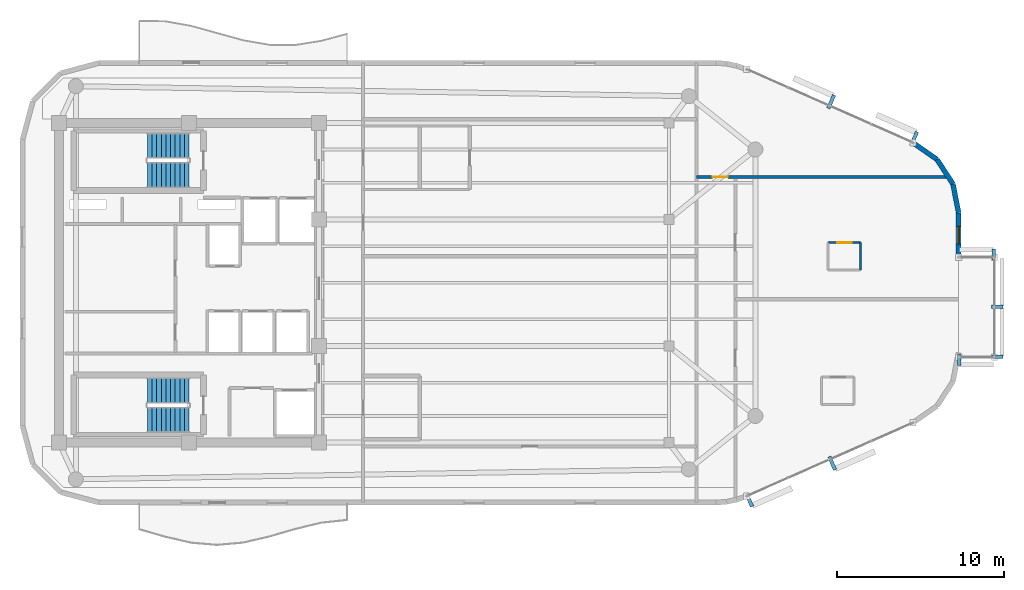
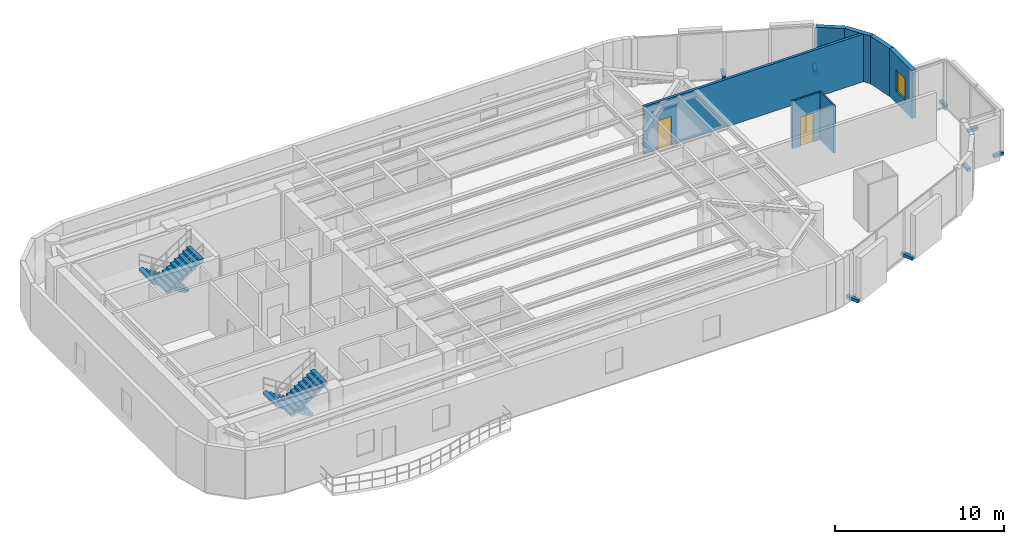
# One storey, part 11 of 13: 8 discrete accessories, 7 walls, 4 stair flights, 2 doors, 1 window, 3 openings, 2 elements without a shape of their own.
"""IFC4 building model written with IfcOpenShell, lengths in metres."""

from ifc_helpers import new_model, si_unit, direction, frame, frame_2d, origin, origin_2d, place, context, subcontext, project, spatial, polyline, rectangle, outline, extrude, material, layer, layer_set, type_object, element, fill, aggregate, save


model = new_model("IFC4")

# Units and contexts
model_context = context("Model", 3, precision=1e-05, world=origin(), true_north=direction((0.0, 1.0)))
body_context = subcontext(model_context, "Body", "Model", "MODEL_VIEW")
ifc_project = project(units=[si_unit("LENGTHUNIT", "METRE"), si_unit("AREAUNIT", "SQUARE_METRE"), si_unit("VOLUMEUNIT", "CUBIC_METRE"), si_unit("PLANEANGLEUNIT", "RADIAN"), si_unit("MASSUNIT", "GRAM", prefix="KILO")], contexts=[model_context])

# Site, building, storey
site_placement = place(None, origin())
site = spatial("IfcSite", under=ifc_project, at=site_placement, CompositionType="ELEMENT")
building_placement = place(site_placement, origin())
building = spatial("IfcBuilding", under=site, at=building_placement, Name="An Khanh Terracotta Commons", CompositionType="ELEMENT")
storey_placement = place(building_placement, frame((0.0, 0.0, 266.10009765625)))
storey = spatial("IfcBuildingStorey", under=building, at=storey_placement, Name="L69", CompositionType="ELEMENT", Elevation=266.10009765625)

# Wall, opening, door
ifc_material_1 = material(Name="Fire-Rated Gypsum Board on Steel Stud", Category="steel")
ifc_layer_1 = layer(ifc_material_1, 0.179931640625, Name="Fire-Rated Gypsum Board on Steel Stud")
ifc_layer_set_1 = layer_set([ifc_layer_1], Name="Fire-Rated Gypsum Board on Steel Stud")
wall_type_1 = type_object("IfcWallType", Name="WALL-CORR-180", PredefinedType="PARTITIONING", material=ifc_layer_set_1)
wall_1_placement = place(storey_placement, frame((59.85009765625, 30.35009765625, 0.0), z_axis=(0.0, 0.0, 1.0), x_axis=(1.0, 0.0, 0.0)))
wall_1 = element("IfcWall", 1, at=wall_1_placement, inside=storey, type_object=wall_type_1, Name="L69 Interior Partition IW-L69-E007", PredefinedType="PARTITIONING", context=body_context, shape_type="SweptSolid", body=[
    extrude(rectangle(XDim=15.138916015625, YDim=0.179931640625, at=frame_2d((7.5693359375, 0.0))), origin(), (0.0, 0.0, 1.0), 3.449951171875),
])
opening_1_placement = place(wall_1_placement, frame((0.97509765625, 0.0, 0.0)))
opening_1 = element("IfcOpeningElement", 2, at=opening_1_placement, cuts=wall_1, Name="Opening D-RM", PredefinedType="OPENING", context=body_context, shape_type="SweptSolid", body=[
    extrude(rectangle(XDim=0.919921875, YDim=2.10009765625, at=frame_2d((0.4599609375, 1.050048828125))), frame((0.0, 0.099853515625, 0.0), z_axis=(0.0, -1.0, 0.0), x_axis=(1.0, 0.0, 0.0)), (0.0, 0.0, 1.0), 0.199951171875),
])
ifc_material_2 = material(Name="Engineered Hardwood Timber Leaf", Category="wood")
door_type_1 = type_object("IfcDoorType", Name="DOOR-INT-920", OperationType="NOTDEFINED", PredefinedType="DOOR", material=ifc_material_2)
door_1_placement = place(opening_1_placement, origin())
door_1 = element("IfcDoor", 3, at=door_1_placement, inside=storey, type_object=door_type_1, Name="L69 NCAP Quiet Focus Office Door", OperationType="SINGLE_SWING_LEFT", OverallHeight=2.10009765625, OverallWidth=0.919921875, PredefinedType="DOOR", context=body_context, shape_type="SweptSolid", body=[
    extrude(rectangle(XDim=0.919921875, YDim=2.10009765625, at=frame_2d((0.4599609375, 1.050048828125))), frame((0.0, 0.02490234375, 0.0), z_axis=(0.0, -1.0, 0.0), x_axis=(1.0, 0.0, 0.0)), (0.0, 0.0, 1.0), 0.050048828125),
])
fill(opening_1, door_1)

# Wall, opening, window
ifc_material_3 = material(Name="Precast concrete C40/50", Category="concrete")
ifc_layer_2 = layer(ifc_material_3, 0.300048828125, Name="Precast concrete C40/50")
ifc_layer_set_2 = layer_set([ifc_layer_2], Name="Precast concrete C40/50")
wall_type_2 = type_object("IfcWallType", Name="WALL-EXT-300", PredefinedType="SOLIDWALL", material=ifc_layer_set_2)
wall_2_placement = place(storey_placement, frame((75.60009765625, 25.530029296875, 0.0), z_axis=(0.0, 0.0, 1.0), x_axis=(0.0, 1.0, 0.0)))
wall_2 = element("IfcWall", 4, at=wall_2_placement, inside=storey, type_object=wall_type_2, Name="L69 East Nose Wall North", PredefinedType="SOLIDWALL", context=body_context, shape_type="SweptSolid", body=[
    extrude(rectangle(XDim=2.671875, YDim=0.300048828125, at=frame_2d((1.3359375, 0.0))), origin(), (0.0, 0.0, 1.0), 3.449951171875),
])
opening_2_placement = place(wall_2_placement, frame((0.81103515625, 0.0, 0.85009765625)))
opening_2 = element("IfcOpeningElement", 5, at=opening_2_placement, cuts=wall_2, Name="Opening W-06", PredefinedType="OPENING", context=body_context, shape_type="SweptSolid", body=[
    extrude(rectangle(XDim=1.050048828125, YDim=1.550048828125, at=frame_2d((0.52490234375, 0.77490234375))), frame((0.0, 0.159912109375, 0.0), z_axis=(0.0, -1.0, 0.0), x_axis=(1.0, 0.0, 0.0)), (0.0, 0.0, 1.0), 0.320068359375),
])
ifc_material_4 = material(Name="Thermally Broken Aluminium and Low-E Glass", Category="aluminium")
window_type = type_object("IfcWindowType", Name="WIN-COR-1050x1550", PartitioningType="SINGLE_PANEL", PredefinedType="WINDOW", material=ifc_material_4)
window_placement = place(opening_2_placement, origin())
window = element("IfcWindow", 6, at=window_placement, inside=storey, type_object=window_type, Name="L69 East Nose North Casement Window", OverallHeight=1.550048828125, OverallWidth=1.050048828125, PartitioningType="SINGLE_PANEL", PredefinedType="WINDOW", context=body_context, shape_type="SweptSolid", body=[
    extrude(rectangle(XDim=1.050048828125, YDim=1.550048828125, at=frame_2d((0.52490234375, 0.77490234375))), frame((0.0, 0.030029296875, 0.0), z_axis=(0.0, -1.0, 0.0), x_axis=(1.0, 0.0, 0.0)), (0.0, 0.0, 1.0), 0.06005859375),
])
fill(opening_2, window)

# Walls
for number, where, z_axis, x_axis, name in (
    (7, (75.60009765625, 28.201904296875, 0.0), (0.0, 0.0, 1.0), (-0.1915005851, 0.981492499159, 0.0), "L69 Insulated Terracotta Exterior Wall 13"),
    (8, (75.262939453125, 29.929931640625, 0.0), (0.0, 0.0, 1.0), (-0.545836224831, 0.837891887813, 0.0), "L69 Insulated Terracotta Exterior Wall 14"),
):
    element("IfcWall", number, at=place(storey_placement, frame(where, z_axis=z_axis, x_axis=x_axis)), inside=storey, type_object=wall_type_2, Name=name, PredefinedType="SOLIDWALL", context=body_context, shape_type="SweptSolid", body=[
        extrude(rectangle(XDim=1.760498046875, YDim=0.300048828125, at=frame_2d((0.88037109375, 0.0))), origin(), (0.0, 0.0, 1.0), 3.449951171875),
    ])
wall_3_placement = place(storey_placement, frame((74.302001953125, 31.405029296875, 0.0), z_axis=(0.0, 0.0, 1.0), x_axis=(-0.821006966142, 0.570918174124, 0.0)))
element("IfcWall", 9, at=wall_3_placement, inside=storey, type_object=wall_type_2, Name="L69 Insulated Terracotta Exterior Wall 15", PredefinedType="SOLIDWALL", context=body_context, shape_type="SweptSolid", body=[
    extrude(rectangle(XDim=1.760009765625, YDim=0.300048828125, at=frame_2d((0.8798828125, 0.0))), origin(), (0.0, 0.0, 1.0), 3.449951171875),
])

# Wall, opening, door
ifc_material_5 = material(Name="Moisture-Resistant Cement Board Partition")
ifc_layer_3 = layer(ifc_material_5, 0.1201171875, Name="Moisture-Resistant Cement Board Partition")
ifc_layer_set_3 = layer_set([ifc_layer_3], Name="Moisture-Resistant Cement Board Partition")
wall_type_3 = type_object("IfcWallType", Name="WALL-WET-120", PredefinedType="PARTITIONING", material=ifc_layer_set_3)
wall_4_placement = place(storey_placement, frame((67.764892578125, 26.410888671875, 0.0), z_axis=(0.0, 0.0, 1.0), x_axis=(1.0, 0.0, 0.0)))
wall_4 = element("IfcWall", 10, at=wall_4_placement, inside=storey, type_object=wall_type_3, Name="L69 Interior Partition IW-L69-ENO1-BN", PredefinedType="PARTITIONING", context=body_context, shape_type="SweptSolid", body=[
    extrude(rectangle(XDim=1.9501953125, YDim=0.1201171875, at=frame_2d((0.97509765625, 0.0))), origin(), (0.0, 0.0, 1.0), 3.449951171875),
])
opening_3_placement = place(wall_4_placement, frame((0.544921875, 0.0, 0.0)))
opening_3 = element("IfcOpeningElement", 11, at=opening_3_placement, cuts=wall_4, Name="Opening D-ENS", PredefinedType="OPENING", context=body_context, shape_type="SweptSolid", body=[
    extrude(rectangle(XDim=0.860107421875, YDim=2.10009765625, at=frame_2d((0.43017578125, 1.050048828125))), frame((0.0, 0.070068359375, 0.0), z_axis=(0.0, -1.0, 0.0), x_axis=(1.0, 0.0, 0.0)), (0.0, 0.0, 1.0), 0.14013671875),
])
ifc_material_6 = material(Name="Moisture-Resistant Hardwood Timber Leaf", Category="wood")
door_type_2 = type_object("IfcDoorType", Name="DOOR-BATH-860", OperationType="NOTDEFINED", PredefinedType="DOOR", material=ifc_material_6)
door_2_placement = place(opening_3_placement, origin())
door_2 = element("IfcDoor", 12, at=door_2_placement, inside=storey, type_object=door_type_2, Name="L69 Studio ENO1 En-suite Door", OperationType="SINGLE_SWING_LEFT", OverallHeight=2.10009765625, OverallWidth=0.860107421875, PredefinedType="DOOR", context=body_context, shape_type="SweptSolid", body=[
    extrude(rectangle(XDim=0.860107421875, YDim=2.10009765625, at=frame_2d((0.43017578125, 1.050048828125))), frame((0.0, 0.02490234375, 0.0), z_axis=(0.0, -1.0, 0.0), x_axis=(1.0, 0.0, 0.0)), (0.0, 0.0, 1.0), 0.050048828125),
])
fill(opening_3, door_2)

# Wall
wall_5_placement = place(storey_placement, frame((69.715087890625, 24.760986328125, 0.0), z_axis=(0.0, 0.0, 1.0), x_axis=(0.0, 1.0, 0.0)))
element("IfcWall", 13, at=wall_5_placement, inside=storey, type_object=wall_type_3, Name="L69 Interior Partition IW-L69-ENO1-BE", PredefinedType="PARTITIONING", context=body_context, shape_type="SweptSolid", body=[
    extrude(rectangle(XDim=1.64990234375, YDim=0.1201171875, at=frame_2d((0.824951171875, 0.0))), origin(), (0.0, 0.0, 1.0), 3.449951171875),
])

# Stair, stair flights
stair_type = type_object("IfcStairType", Name="STAIR-CORE-1550", PredefinedType="HALF_TURN_STAIR", material=ifc_material_3)
stair_1_placement = place(storey_placement, origin())
stair_1 = element("IfcStair", 14, at=stair_1_placement, inside=storey, type_object=stair_type, Name="L69 Core Smokeproof Exit Stair ST-01", PredefinedType="HALF_TURN_STAIR")
stair_flight_type = type_object("IfcStairFlightType", Name="FLIGHT-CORE-1550", PredefinedType="STRAIGHT", material=ifc_material_3)
stair_flight_1_placement = place(storey_placement, frame((29.409912109375, 32.22509765625, 0.0), z_axis=(0.0, 0.0, 1.0), x_axis=(-1.0, 0.0, 0.0)))
stair_flight_1 = element("IfcStairFlight", 15, at=stair_flight_1_placement, type_object=stair_flight_type, Name="ST-01 flight 1", NumberOfRisers=10, NumberOfTreads=9, PredefinedType="STRAIGHT", RiserHeight=0.1825, TreadLength=0.28, context=body_context, shape_type="SweptSolid", body=[
    extrude(outline(polyline([(0.0, 0.0), (0.0, 0.1826171875), (0.280029296875, 0.1826171875), (0.280029296875, 0.364990234375), (0.56005859375, 0.364990234375), (0.56005859375, 0.547607421875), (0.840087890625, 0.547607421875), (0.840087890625, 0.72998046875), (1.1201171875, 0.72998046875), (1.1201171875, 0.91259765625), (1.39990234375, 0.91259765625), (1.39990234375, 1.094970703125), (1.679931640625, 1.094970703125), (1.679931640625, 1.277587890625), (1.9599609375, 1.277587890625), (1.9599609375, 1.4599609375), (2.239990234375, 1.4599609375), (2.239990234375, 1.642578125), (2.52001953125, 1.642578125), (2.52001953125, 1.824951171875), (2.52001953125, 1.463623046875), (0.2744140625, 0.0), (0.0, 0.0)])), frame((0.0, 0.77490234375, 0.0), z_axis=(0.0, -1.0, 0.0), x_axis=(1.0, 0.0, 0.0)), (0.0, 0.0, 1.0), 1.550048828125),
])
stair_flight_2_placement = place(storey_placement, frame((26.889892578125, 30.47509765625, 1.824951171875), z_axis=(0.0, 0.0, 1.0), x_axis=(1.0, 0.0, 0.0)))
stair_flight_2 = element("IfcStairFlight", 16, at=stair_flight_2_placement, type_object=stair_flight_type, Name="ST-01 flight 2", NumberOfRisers=10, NumberOfTreads=9, PredefinedType="STRAIGHT", RiserHeight=0.1825, TreadLength=0.28, context=body_context, shape_type="SweptSolid", body=[
    extrude(outline(polyline([(0.0, 0.0), (0.0, 0.1826171875), (0.280029296875, 0.1826171875), (0.280029296875, 0.364990234375), (0.56005859375, 0.364990234375), (0.56005859375, 0.547607421875), (0.840087890625, 0.547607421875), (0.840087890625, 0.72998046875), (1.1201171875, 0.72998046875), (1.1201171875, 0.91259765625), (1.39990234375, 0.91259765625), (1.39990234375, 1.094970703125), (1.679931640625, 1.094970703125), (1.679931640625, 1.277587890625), (1.9599609375, 1.277587890625), (1.9599609375, 1.4599609375), (2.239990234375, 1.4599609375), (2.239990234375, 1.642578125), (2.52001953125, 1.642578125), (2.52001953125, 1.824951171875), (2.52001953125, 1.463623046875), (0.2744140625, 0.0), (0.0, 0.0)])), frame((0.0, 0.77490234375, 0.0), z_axis=(0.0, -1.0, 0.0), x_axis=(1.0, 0.0, 0.0)), (0.0, 0.0, 1.0), 1.550048828125),
])
aggregate(stair_1, [stair_flight_1, stair_flight_2])

stair_2_placement = place(storey_placement, origin())
stair_2 = element("IfcStair", 17, at=stair_2_placement, inside=storey, type_object=stair_type, Name="L69 Core Smokeproof Exit Stair ST-02", PredefinedType="HALF_TURN_STAIR")
stair_flight_3_placement = place(storey_placement, frame((29.409912109375, 17.52490234375, 0.0), z_axis=(0.0, 0.0, 1.0), x_axis=(-1.0, 0.0, 0.0)))
stair_flight_3 = element("IfcStairFlight", 18, at=stair_flight_3_placement, type_object=stair_flight_type, Name="ST-02 flight 1", NumberOfRisers=10, NumberOfTreads=9, PredefinedType="STRAIGHT", RiserHeight=0.1825, TreadLength=0.28, context=body_context, shape_type="SweptSolid", body=[
    extrude(outline(polyline([(0.0, 0.0), (0.0, 0.1826171875), (0.280029296875, 0.1826171875), (0.280029296875, 0.364990234375), (0.56005859375, 0.364990234375), (0.56005859375, 0.547607421875), (0.840087890625, 0.547607421875), (0.840087890625, 0.72998046875), (1.1201171875, 0.72998046875), (1.1201171875, 0.91259765625), (1.39990234375, 0.91259765625), (1.39990234375, 1.094970703125), (1.679931640625, 1.094970703125), (1.679931640625, 1.277587890625), (1.9599609375, 1.277587890625), (1.9599609375, 1.4599609375), (2.239990234375, 1.4599609375), (2.239990234375, 1.642578125), (2.52001953125, 1.642578125), (2.52001953125, 1.824951171875), (2.52001953125, 1.463623046875), (0.2744140625, 0.0), (0.0, 0.0)])), frame((0.0, 0.77490234375, 0.0), z_axis=(0.0, -1.0, 0.0), x_axis=(1.0, 0.0, 0.0)), (0.0, 0.0, 1.0), 1.550048828125),
])
stair_flight_4_placement = place(storey_placement, frame((26.889892578125, 15.77490234375, 1.824951171875), z_axis=(0.0, 0.0, 1.0), x_axis=(1.0, 0.0, 0.0)))
stair_flight_4 = element("IfcStairFlight", 19, at=stair_flight_4_placement, type_object=stair_flight_type, Name="ST-02 flight 2", NumberOfRisers=10, NumberOfTreads=9, PredefinedType="STRAIGHT", RiserHeight=0.1825, TreadLength=0.28, context=body_context, shape_type="SweptSolid", body=[
    extrude(outline(polyline([(0.0, 0.0), (0.0, 0.1826171875), (0.280029296875, 0.1826171875), (0.280029296875, 0.364990234375), (0.56005859375, 0.364990234375), (0.56005859375, 0.547607421875), (0.840087890625, 0.547607421875), (0.840087890625, 0.72998046875), (1.1201171875, 0.72998046875), (1.1201171875, 0.91259765625), (1.39990234375, 0.91259765625), (1.39990234375, 1.094970703125), (1.679931640625, 1.094970703125), (1.679931640625, 1.277587890625), (1.9599609375, 1.277587890625), (1.9599609375, 1.4599609375), (2.239990234375, 1.4599609375), (2.239990234375, 1.642578125), (2.52001953125, 1.642578125), (2.52001953125, 1.824951171875), (2.52001953125, 1.463623046875), (0.2744140625, 0.0), (0.0, 0.0)])), frame((0.0, 0.77490234375, 0.0), z_axis=(0.0, -1.0, 0.0), x_axis=(1.0, 0.0, 0.0)), (0.0, 0.0, 1.0), 1.550048828125),
])
aggregate(stair_2, [stair_flight_3, stair_flight_4])

# Discrete accessories
ifc_material_7 = material(Name="Stainless Steel Grade 316L", Category="steel")
discrete_accessory_type = type_object("IfcDiscreteAccessoryType", Name="Stainless Outrigger Facade Bracket", PredefinedType="BRACKET", material=ifc_material_7)
for number, where, z_axis, x_axis, name in (
    (20, (63.02587890625, 10.962890625, 0.06982421875), (0.0, 0.0, 1.0), (0.914901853201, 0.403676354285, 0.0), "L69 Terracotta Screen Outrigger Bracket 1"),
    (21, (68.010986328125, 13.162109375, 0.06982421875), (0.0, 0.0, 1.0), (0.914901853201, 0.403676354285, 0.0), "L69 Terracotta Screen Outrigger Bracket 3"),
):
    element("IfcDiscreteAccessory", number, at=place(storey_placement, frame(where, z_axis=z_axis, x_axis=x_axis)), inside=storey, type_object=discrete_accessory_type, Name=name, PredefinedType="BRACKET", context=body_context, shape_type="SweptSolid", body=[
        extrude(rectangle(XDim=0.219970703125, YDim=0.8701171875, at=origin_2d()), origin(), (0.0, 0.0, 1.0), 0.219970703125),
    ])
for number, where, z_axis, x_axis, name in (
    (22, (77.9150390625, 19.56201171875, 0.06982421875), (0.0, 0.0, 1.0), (0.0, 1.0, 0.0), "L69 Terracotta Screen Outrigger Bracket 1"),
    (23, (77.9150390625, 22.56201171875, 0.06982421875), (0.0, 0.0, 1.0), (0.0, 1.0, 0.0), "L69 Terracotta Screen Outrigger Bracket 2"),
    (24, (75.632080078125, 19.364990234375, 0.06982421875), (0.0, 0.0, 1.0), (1.0, 0.0, 0.0), "L69 Terracotta Screen Outrigger Bracket 1"),
    (25, (77.718017578125, 25.695068359375, 0.06982421875), (0.0, 0.0, 1.0), (-1.0, 0.0, 0.0), "L69 Terracotta Screen Outrigger Bracket 1"),
):
    element("IfcDiscreteAccessory", number, at=place(storey_placement, frame(where, z_axis=z_axis, x_axis=x_axis)), inside=storey, type_object=discrete_accessory_type, Name=name, PredefinedType="BRACKET", context=body_context, shape_type="SweptSolid", body=[
        extrude(rectangle(XDim=0.219970703125, YDim=0.669921875, at=origin_2d()), origin(), (0.0, 0.0, 1.0), 0.219970703125),
    ])
for number, where, z_axis, x_axis, name in (
    (26, (72.931884765625, 32.6669921875, 0.06982421875), (0.0, 0.0, 1.0), (-0.914901853201, 0.403676354285, 0.0), "L69 Terracotta Screen Outrigger Bracket 1"),
    (27, (67.947021484375, 34.865966796875, 0.06982421875), (0.0, 0.0, 1.0), (-0.914901853201, 0.403676354285, 0.0), "L69 Terracotta Screen Outrigger Bracket 3"),
):
    element("IfcDiscreteAccessory", number, at=place(storey_placement, frame(where, z_axis=z_axis, x_axis=x_axis)), inside=storey, type_object=discrete_accessory_type, Name=name, PredefinedType="BRACKET", context=body_context, shape_type="SweptSolid", body=[
        extrude(rectangle(XDim=0.219970703125, YDim=0.8701171875, at=origin_2d()), origin(), (0.0, 0.0, 1.0), 0.219970703125),
    ])

save(model, "model.ifc")
